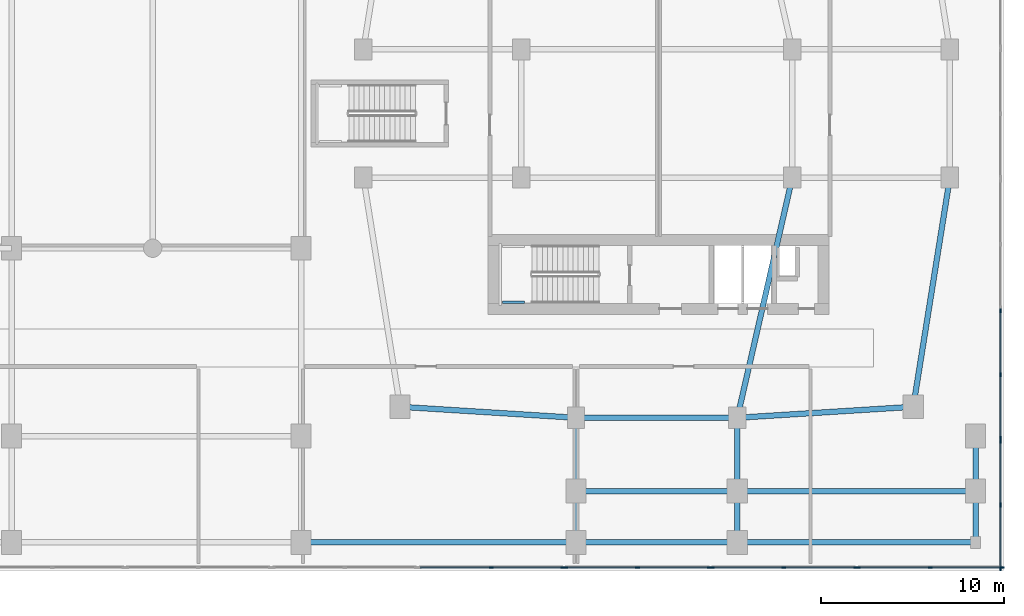
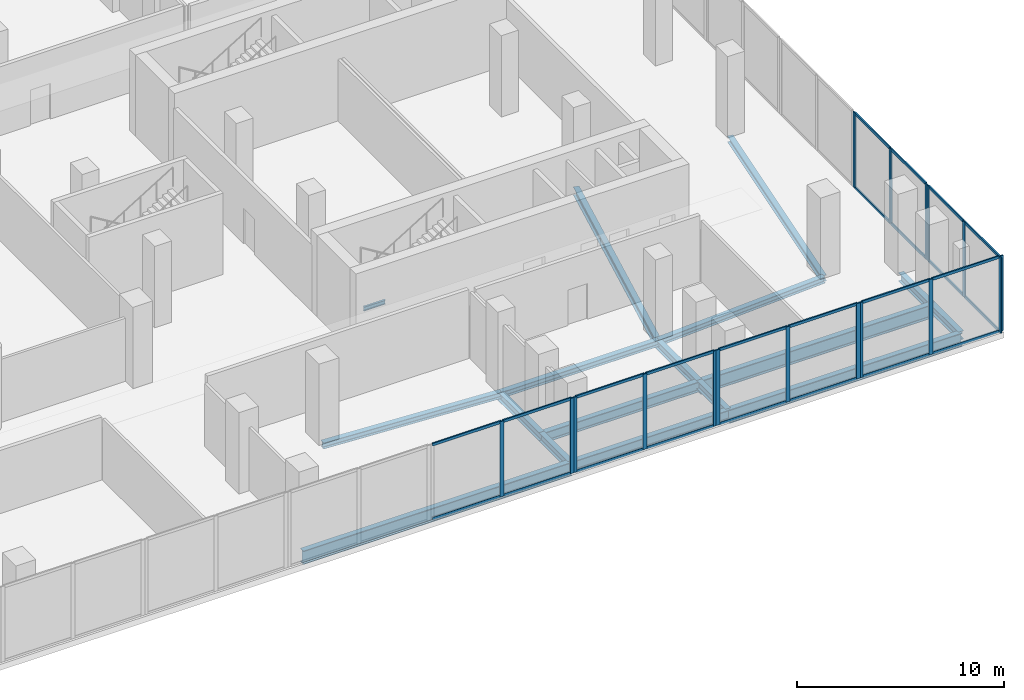
# One storey, part 8 of 23: 41 members, 17 beams, 6 elements without a shape of their own.
"""IFC4 building model written with IfcOpenShell, lengths in metres."""

from ifc_helpers import new_model, si_unit, derived_unit, direction, frame, origin, origin_2d, place, context, subcontext, project, spatial, rectangle, i_section, extrude, material, layer, layer_set, material_profile, profile_set, type_object, element, aggregate, save


model = new_model("IFC4")

# Units and contexts
model_context = context("Model", 3, precision=1e-05, world=origin(), true_north=direction((0.0, 1.0)))
body_context = subcontext(model_context, "Body", "Model", "MODEL_VIEW")
ifc_project = project(units=[si_unit("LENGTHUNIT", "METRE"), si_unit("AREAUNIT", "SQUARE_METRE"), si_unit("VOLUMEUNIT", "CUBIC_METRE"), si_unit("PLANEANGLEUNIT", "RADIAN"), si_unit("MASSUNIT", "GRAM", prefix="KILO"), derived_unit("THERMALTRANSMITTANCEUNIT", [(si_unit("POWERUNIT", "WATT"), 1), (si_unit("LENGTHUNIT", "METRE"), -2), (si_unit("THERMODYNAMICTEMPERATUREUNIT", "KELVIN"), -1)])], contexts=[model_context])

# Site, building, storey
site_placement = place(None, origin())
site = spatial("IfcSite", under=ifc_project, at=site_placement, CompositionType="ELEMENT")
building_placement = place(site_placement, origin())
building = spatial("IfcBuilding", under=site, at=building_placement, Name="Kivonza Crest Hotel", CompositionType="ELEMENT")
storey_placement = place(building_placement, frame((0.0, 0.0, 5.39990234375)))
storey = spatial("IfcBuildingStorey", under=building, at=storey_placement, Name="L01", CompositionType="ELEMENT", Elevation=5.39990234375)

# Beams
ifc_material_1 = material(Name="Steel S355", Category="steel")
ifc_material_profile_1 = material_profile(ifc_material_1, i_section(OverallWidth=0.300048828125, OverallDepth=0.360107421875, WebThickness=0.012451171875, FlangeThickness=0.0224609375, FilletRadius=0.027099609375, at=origin_2d()), Name="HEB 360")
ifc_profile_set_1 = profile_set([ifc_material_profile_1], Name="Steel S355")
beam_type_1 = type_object("IfcBeamType", Name="BM-HEB360", PredefinedType="SPANDREL", material=ifc_profile_set_1)
beam_1_placement = place(storey_placement, frame((72.60009765625, 8.39990234375, -0.52978515625), z_axis=(1.0, 0.0, 0.0), x_axis=(0.0, 1.0, 0.0)))
element("IfcBeam", 1, at=beam_1_placement, inside=storey, type_object=beam_type_1, Name="Companion Tower T2 L01 perimeter spandrel S1-S2", PredefinedType="SPANDREL", context=body_context, shape_type="SweptSolid", body=[
    extrude(i_section(OverallWidth=0.300048828125, OverallDepth=0.360107421875, WebThickness=0.012451171875, FlangeThickness=0.0224609375, FilletRadius=0.027099609375, at=origin_2d()), origin(), (0.0, 0.0, 1.0), 8.7998046875),
])
beam_2_placement = place(storey_placement, frame((81.39990234375, 8.39990234375, -0.52978515625), z_axis=(0.998051985873, 0.062387767186, 0.0), x_axis=(-0.062387767186, 0.998051985873, 0.0)))
element("IfcBeam", 2, at=beam_2_placement, inside=storey, type_object=beam_type_1, Name="Companion Tower T2 L01 perimeter spandrel S2-SE", PredefinedType="SPANDREL", context=body_context, shape_type="SweptSolid", body=[
    extrude(i_section(OverallWidth=0.300048828125, OverallDepth=0.360107421875, WebThickness=0.012451171875, FlangeThickness=0.0224609375, FilletRadius=0.027099609375, at=origin_2d()), origin(), (0.0, 0.0, 1.0), 9.618896484375),
])
beam_3_placement = place(storey_placement, frame((91.0, 9.0, -0.52978515625), z_axis=(0.157990501107, 0.987440631917, 0.0), x_axis=(-0.987440631917, 0.157990501107, 0.0)))
element("IfcBeam", 3, at=beam_3_placement, inside=storey, type_object=beam_type_1, Name="Companion Tower T2 L01 perimeter spandrel SE-E1", PredefinedType="SPANDREL", context=body_context, shape_type="SweptSolid", body=[
    extrude(i_section(OverallWidth=0.300048828125, OverallDepth=0.360107421875, WebThickness=0.012451171875, FlangeThickness=0.0224609375, FilletRadius=0.027099609375, at=origin_2d()), origin(), (0.0, 0.0, 1.0), 12.658935546875),
])
beam_4_placement = place(storey_placement, frame((63.0, 9.0, -0.52978515625), z_axis=(0.998051985873, -0.062387767186, 0.0), x_axis=(0.062387767186, 0.998051985873, 0.0)))
element("IfcBeam", 4, at=beam_4_placement, inside=storey, type_object=beam_type_1, Name="Companion Tower T2 L01 perimeter spandrel SW-S1", PredefinedType="SPANDREL", context=body_context, shape_type="SweptSolid", body=[
    extrude(i_section(OverallWidth=0.300048828125, OverallDepth=0.360107421875, WebThickness=0.012451171875, FlangeThickness=0.0224609375, FilletRadius=0.027099609375, at=origin_2d()), origin(), (0.0, 0.0, 1.0), 9.618896484375),
])
ifc_material_profile_2 = material_profile(ifc_material_1, i_section(OverallWidth=0.300048828125, OverallDepth=0.5, WebThickness=0.014404296875, FlangeThickness=0.028076171875, FilletRadius=0.027099609375, at=origin_2d()), Name="HEB 500")
ifc_profile_set_2 = profile_set([ifc_material_profile_2], Name="Steel S355")
beam_type_2 = type_object("IfcBeamType", Name="BM-HEB500", PredefinedType="BEAM", material=ifc_profile_set_2)
beam_5_placement = place(storey_placement, frame((84.39990234375, 21.5, -0.599853515625), z_axis=(-0.223227287589, -0.974766422317, 0.0), x_axis=(0.974766422317, -0.223227287589, 0.0)))
element("IfcBeam", 5, at=beam_5_placement, inside=storey, type_object=beam_type_2, Name="Companion Tower T2 L01 girder WR1-S2", PredefinedType="BEAM", context=body_context, shape_type="SweptSolid", body=[
    extrude(i_section(OverallWidth=0.300048828125, OverallDepth=0.5, WebThickness=0.014404296875, FlangeThickness=0.028076171875, FilletRadius=0.027099609375, at=origin_2d()), origin(), (0.0, 0.0, 1.0), 13.439208984375),
])
beam_6_placement = place(storey_placement, frame((72.60009765625, 1.60009765625, -0.599853515625), z_axis=(0.0, 1.0, 0.0), x_axis=(-1.0, 0.0, 0.0)))
element("IfcBeam", 6, at=beam_6_placement, inside=storey, type_object=beam_type_2, Name="L01 podium girder Y 84", PredefinedType="BEAM", context=body_context, shape_type="SweptSolid", body=[
    extrude(i_section(OverallWidth=0.300048828125, OverallDepth=0.5, WebThickness=0.014404296875, FlangeThickness=0.028076171875, FilletRadius=0.027099609375, at=origin_2d()), origin(), (0.0, 0.0, 1.0), 2.7998046875),
])
beam_7_placement = place(storey_placement, frame((72.60009765625, 4.39990234375, -0.599853515625), z_axis=(0.0, 1.0, 0.0), x_axis=(-1.0, 0.0, 0.0)))
element("IfcBeam", 7, at=beam_7_placement, inside=storey, type_object=beam_type_2, Name="L01 podium girder Y 85", PredefinedType="BEAM", context=body_context, shape_type="SweptSolid", body=[
    extrude(i_section(OverallWidth=0.300048828125, OverallDepth=0.5, WebThickness=0.014404296875, FlangeThickness=0.028076171875, FilletRadius=0.027099609375, at=origin_2d()), origin(), (0.0, 0.0, 1.0), 4.0),
])
beam_8_placement = place(storey_placement, frame((81.39990234375, 1.60009765625, -0.599853515625), z_axis=(0.0, 1.0, 0.0), x_axis=(-1.0, 0.0, 0.0)))
element("IfcBeam", 8, at=beam_8_placement, inside=storey, type_object=beam_type_2, Name="L01 podium girder Y 88", PredefinedType="BEAM", context=body_context, shape_type="SweptSolid", body=[
    extrude(i_section(OverallWidth=0.300048828125, OverallDepth=0.5, WebThickness=0.014404296875, FlangeThickness=0.028076171875, FilletRadius=0.027099609375, at=origin_2d()), origin(), (0.0, 0.0, 1.0), 2.7998046875),
])
beam_9_placement = place(storey_placement, frame((81.39990234375, 4.39990234375, -0.599853515625), z_axis=(0.0, 1.0, 0.0), x_axis=(-1.0, 0.0, 0.0)))
element("IfcBeam", 9, at=beam_9_placement, inside=storey, type_object=beam_type_2, Name="L01 podium girder Y 89", PredefinedType="BEAM", context=body_context, shape_type="SweptSolid", body=[
    extrude(i_section(OverallWidth=0.300048828125, OverallDepth=0.5, WebThickness=0.014404296875, FlangeThickness=0.028076171875, FilletRadius=0.027099609375, at=origin_2d()), origin(), (0.0, 0.0, 1.0), 4.0),
])
beam_10_placement = place(storey_placement, frame((94.39990234375, 1.60009765625, -0.599853515625), z_axis=(0.0, 1.0, 0.0), x_axis=(-1.0, 0.0, 0.0)))
element("IfcBeam", 10, at=beam_10_placement, inside=storey, type_object=beam_type_2, Name="L01 podium girder Y 94", PredefinedType="BEAM", context=body_context, shape_type="SweptSolid", body=[
    extrude(i_section(OverallWidth=0.300048828125, OverallDepth=0.5, WebThickness=0.014404296875, FlangeThickness=0.028076171875, FilletRadius=0.027099609375, at=origin_2d()), origin(), (0.0, 0.0, 1.0), 2.7998046875),
])
beam_11_placement = place(storey_placement, frame((94.39990234375, 4.39990234375, -0.599853515625), z_axis=(0.0, 1.0, 0.0), x_axis=(-1.0, 0.0, 0.0)))
element("IfcBeam", 11, at=beam_11_placement, inside=storey, type_object=beam_type_2, Name="L01 podium girder Y 95", PredefinedType="BEAM", context=body_context, shape_type="SweptSolid", body=[
    extrude(i_section(OverallWidth=0.300048828125, OverallDepth=0.5, WebThickness=0.014404296875, FlangeThickness=0.028076171875, FilletRadius=0.027099609375, at=origin_2d()), origin(), (0.0, 0.0, 1.0), 3.0),
])
ifc_material_profile_3 = material_profile(ifc_material_1, i_section(OverallWidth=0.300048828125, OverallDepth=0.60009765625, WebThickness=0.015380859375, FlangeThickness=0.030029296875, FilletRadius=0.027099609375, at=origin_2d()), Name="HEB 600")
ifc_profile_set_3 = profile_set([ifc_material_profile_3], Name="Steel S355")
beam_type_3 = type_object("IfcBeamType", Name="BM-HEB600", PredefinedType="BEAM", material=ifc_profile_set_3)
for number, where, z_axis, x_axis, name in (
    (12, (72.60009765625, 1.60009765625, -0.64990234375), (1.0, 0.0, 0.0), (0.0, 1.0, 0.0), "L01 podium girder X 6"),
    (13, (72.60009765625, 4.39990234375, -0.64990234375), (1.0, 0.0, 0.0), (0.0, 1.0, 0.0), "L01 podium girder X 10"),
):
    element("IfcBeam", number, at=place(storey_placement, frame(where, z_axis=z_axis, x_axis=x_axis)), inside=storey, type_object=beam_type_3, Name=name, PredefinedType="BEAM", context=body_context, shape_type="SweptSolid", body=[
        extrude(i_section(OverallWidth=0.300048828125, OverallDepth=0.60009765625, WebThickness=0.015380859375, FlangeThickness=0.030029296875, FilletRadius=0.027099609375, at=origin_2d()), origin(), (0.0, 0.0, 1.0), 8.7998046875),
    ])
ifc_material_profile_4 = material_profile(ifc_material_1, i_section(OverallWidth=0.300048828125, OverallDepth=0.800048828125, WebThickness=0.017578125, FlangeThickness=0.032958984375, FilletRadius=0.030029296875, at=origin_2d()), Name="HEB 800")
ifc_profile_set_4 = profile_set([ifc_material_profile_4], Name="Steel S355")
beam_type_4 = type_object("IfcBeamType", Name="BM-HEB800", PredefinedType="BEAM", material=ifc_profile_set_4)
beam_12_placement = place(storey_placement, frame((57.60009765625, 1.60009765625, -0.75), z_axis=(1.0, 0.0, 0.0), x_axis=(0.0, 1.0, 0.0)))
element("IfcBeam", 14, at=beam_12_placement, inside=storey, type_object=beam_type_4, Name="L01 podium girder X 5", PredefinedType="BEAM", context=body_context, shape_type="SweptSolid", body=[
    extrude(i_section(OverallWidth=0.300048828125, OverallDepth=0.800048828125, WebThickness=0.017578125, FlangeThickness=0.032958984375, FilletRadius=0.030029296875, at=origin_2d()), origin(), (0.0, 0.0, 1.0), 15.0),
])
for number, where, z_axis, x_axis, name in (
    (15, (81.39990234375, 1.60009765625, -0.75), (1.0, 0.0, 0.0), (0.0, 1.0, 0.0), "L01 podium girder X 7"),
    (16, (81.39990234375, 4.39990234375, -0.75), (1.0, 0.0, 0.0), (0.0, 1.0, 0.0), "L01 podium girder X 11"),
):
    element("IfcBeam", number, at=place(storey_placement, frame(where, z_axis=z_axis, x_axis=x_axis)), inside=storey, type_object=beam_type_4, Name=name, PredefinedType="BEAM", context=body_context, shape_type="SweptSolid", body=[
        extrude(i_section(OverallWidth=0.300048828125, OverallDepth=0.800048828125, WebThickness=0.017578125, FlangeThickness=0.032958984375, FilletRadius=0.030029296875, at=origin_2d()), origin(), (0.0, 0.0, 1.0), 13.0),
    ])
ifc_material_profile_5 = material_profile(ifc_material_1, i_section(OverallWidth=0.1201171875, OverallDepth=0.239990234375, WebThickness=0.006103515625, FlangeThickness=0.009765625, FilletRadius=0.014892578125, at=origin_2d()), Name="IPE 240")
ifc_profile_set_5 = profile_set([ifc_material_profile_5], Name="Steel S355")
beam_type_5 = type_object("IfcBeamType", Name="BM-LLDG-240", PredefinedType="BEAM", material=ifc_profile_set_5)
beam_13_placement = place(storey_placement, frame((68.590087890625, 14.699951171875, 2.080078125), z_axis=(1.0, 0.0, 0.0), x_axis=(0.0, 1.0, 0.0)))
element("IfcBeam", 17, at=beam_13_placement, inside=storey, type_object=beam_type_5, Name="Stair ST-T2-S L01 South landing corbel", PredefinedType="BEAM", context=body_context, shape_type="SweptSolid", body=[
    extrude(i_section(OverallWidth=0.1201171875, OverallDepth=0.239990234375, WebThickness=0.006103515625, FlangeThickness=0.009765625, FilletRadius=0.014892578125, at=origin_2d()), origin(), (0.0, 0.0, 1.0), 1.2099609375),
])

# Curtain wall, members
ifc_material_2 = material(Name="Anodised bronze aluminium and low-E double glazing", Category="aluminium")
ifc_layer = layer(ifc_material_2, 0.219970703125)
ifc_layer_set = layer_set([ifc_layer], Name="Anodised bronze aluminium and low-E double glazing")
curtain_wall_type = type_object("IfcCurtainWallType", Name="CW-SYS-1", PredefinedType="NOTDEFINED", material=ifc_layer_set)
curtain_wall_1_placement = place(storey_placement, origin())
curtain_wall_1 = element("IfcCurtainWall", 18, at=curtain_wall_1_placement, inside=storey, type_object=curtain_wall_type, Name="L01 unitised curtain wall CW-POD-L01-09", PredefinedType="NOTDEFINED")
ifc_material_3 = material(Name="Anodised bronze aluminium", Category="aluminium")
ifc_material_profile_6 = material_profile(ifc_material_3, rectangle(XDim=0.074951171875, YDim=0.219970703125, at=origin_2d()), Name="CW-M 75x220")
ifc_profile_set_6 = profile_set([ifc_material_profile_6], Name="Anodised bronze aluminium")
member_type_1 = type_object("IfcMemberType", Name="CW-MUL-75x220", PredefinedType="MULLION", material=ifc_profile_set_6)
member_1_placement = place(storey_placement, frame((67.966552734375, 0.239990234375, 0.0), z_axis=(0.0, 0.0, 1.0), x_axis=(0.0, 1.0, 0.0)))
member_1 = element("IfcMember", 19, at=member_1_placement, type_object=member_type_1, Name="CW-1 mullion 2", PredefinedType="MULLION", context=body_context, shape_type="SweptSolid", body=[
    extrude(rectangle(XDim=0.074951171875, YDim=0.219970703125, at=origin_2d()), origin(), (0.0, 0.0, 1.0), 4.4501953125),
])
member_2_placement = place(storey_placement, frame((71.882568359375, 0.239990234375, 0.0), z_axis=(0.0, 0.0, 1.0), x_axis=(0.0, 1.0, 0.0)))
member_2 = element("IfcMember", 20, at=member_2_placement, type_object=member_type_1, Name="CW-1 mullion 3", PredefinedType="MULLION", context=body_context, shape_type="SweptSolid", body=[
    extrude(rectangle(XDim=0.074951171875, YDim=0.219970703125, at=origin_2d()), origin(), (0.0, 0.0, 1.0), 4.4501953125),
])

curtain_wall_2_placement = place(storey_placement, origin())
curtain_wall_2 = element("IfcCurtainWall", 21, at=curtain_wall_2_placement, inside=storey, type_object=curtain_wall_type, Name="L01 unitised curtain wall CW-POD-L01-10", PredefinedType="NOTDEFINED")
member_3_placement = place(storey_placement, frame((72.03759765625, 0.239990234375, 0.0), z_axis=(0.0, 0.0, 1.0), x_axis=(0.0, 1.0, 0.0)))
member_3 = element("IfcMember", 22, at=member_3_placement, type_object=member_type_1, Name="CW-1 mullion 1", PredefinedType="MULLION", context=body_context, shape_type="SweptSolid", body=[
    extrude(rectangle(XDim=0.074951171875, YDim=0.219970703125, at=origin_2d()), origin(), (0.0, 0.0, 1.0), 4.4501953125),
])
member_4_placement = place(storey_placement, frame((75.95361328125, 0.239990234375, 0.0), z_axis=(0.0, 0.0, 1.0), x_axis=(0.0, 1.0, 0.0)))
member_4 = element("IfcMember", 23, at=member_4_placement, type_object=member_type_1, Name="CW-1 mullion 2", PredefinedType="MULLION", context=body_context, shape_type="SweptSolid", body=[
    extrude(rectangle(XDim=0.074951171875, YDim=0.219970703125, at=origin_2d()), origin(), (0.0, 0.0, 1.0), 4.4501953125),
])
member_5_placement = place(storey_placement, frame((79.869384765625, 0.239990234375, 0.0), z_axis=(0.0, 0.0, 1.0), x_axis=(0.0, 1.0, 0.0)))
member_5 = element("IfcMember", 24, at=member_5_placement, type_object=member_type_1, Name="CW-1 mullion 3", PredefinedType="MULLION", context=body_context, shape_type="SweptSolid", body=[
    extrude(rectangle(XDim=0.074951171875, YDim=0.219970703125, at=origin_2d()), origin(), (0.0, 0.0, 1.0), 4.4501953125),
])

curtain_wall_3_placement = place(storey_placement, origin())
curtain_wall_3 = element("IfcCurtainWall", 25, at=curtain_wall_3_placement, inside=storey, type_object=curtain_wall_type, Name="L01 unitised curtain wall CW-POD-L01-11", PredefinedType="NOTDEFINED")
member_6_placement = place(storey_placement, frame((80.0244140625, 0.239990234375, 0.0), z_axis=(0.0, 0.0, 1.0), x_axis=(0.0, 1.0, 0.0)))
member_6 = element("IfcMember", 26, at=member_6_placement, type_object=member_type_1, Name="CW-1 mullion 1", PredefinedType="MULLION", context=body_context, shape_type="SweptSolid", body=[
    extrude(rectangle(XDim=0.074951171875, YDim=0.219970703125, at=origin_2d()), origin(), (0.0, 0.0, 1.0), 4.4501953125),
])
member_7_placement = place(storey_placement, frame((83.93994140625, 0.239990234375, 0.0), z_axis=(0.0, 0.0, 1.0), x_axis=(0.0, 1.0, 0.0)))
member_7 = element("IfcMember", 27, at=member_7_placement, type_object=member_type_1, Name="CW-1 mullion 2", PredefinedType="MULLION", context=body_context, shape_type="SweptSolid", body=[
    extrude(rectangle(XDim=0.074951171875, YDim=0.219970703125, at=origin_2d()), origin(), (0.0, 0.0, 1.0), 4.4501953125),
])
member_8_placement = place(storey_placement, frame((87.85546875, 0.239990234375, 0.0), z_axis=(0.0, 0.0, 1.0), x_axis=(0.0, 1.0, 0.0)))
member_8 = element("IfcMember", 28, at=member_8_placement, type_object=member_type_1, Name="CW-1 mullion 3", PredefinedType="MULLION", context=body_context, shape_type="SweptSolid", body=[
    extrude(rectangle(XDim=0.074951171875, YDim=0.219970703125, at=origin_2d()), origin(), (0.0, 0.0, 1.0), 4.4501953125),
])

curtain_wall_4_placement = place(storey_placement, origin())
curtain_wall_4 = element("IfcCurtainWall", 29, at=curtain_wall_4_placement, inside=storey, type_object=curtain_wall_type, Name="L01 unitised curtain wall CW-POD-L01-12", PredefinedType="NOTDEFINED")
member_9_placement = place(storey_placement, frame((88.010498046875, 0.239990234375, 0.0), z_axis=(0.0, 0.0, 1.0), x_axis=(0.0, 1.0, 0.0)))
member_9 = element("IfcMember", 30, at=member_9_placement, type_object=member_type_1, Name="CW-1 mullion 1", PredefinedType="MULLION", context=body_context, shape_type="SweptSolid", body=[
    extrude(rectangle(XDim=0.074951171875, YDim=0.219970703125, at=origin_2d()), origin(), (0.0, 0.0, 1.0), 4.4501953125),
])
member_10_placement = place(storey_placement, frame((91.926513671875, 0.239990234375, 0.0), z_axis=(0.0, 0.0, 1.0), x_axis=(0.0, 1.0, 0.0)))
member_10 = element("IfcMember", 31, at=member_10_placement, type_object=member_type_1, Name="CW-1 mullion 2", PredefinedType="MULLION", context=body_context, shape_type="SweptSolid", body=[
    extrude(rectangle(XDim=0.074951171875, YDim=0.219970703125, at=origin_2d()), origin(), (0.0, 0.0, 1.0), 4.4501953125),
])
member_11_placement = place(storey_placement, frame((95.842529296875, 0.239990234375, 0.0), z_axis=(0.0, 0.0, 1.0), x_axis=(0.0, 1.0, 0.0)))
member_11 = element("IfcMember", 32, at=member_11_placement, type_object=member_type_1, Name="CW-1 mullion 3", PredefinedType="MULLION", context=body_context, shape_type="SweptSolid", body=[
    extrude(rectangle(XDim=0.074951171875, YDim=0.219970703125, at=origin_2d()), origin(), (0.0, 0.0, 1.0), 4.4501953125),
])

curtain_wall_5_placement = place(storey_placement, origin())
curtain_wall_5 = element("IfcCurtainWall", 33, at=curtain_wall_5_placement, inside=storey, type_object=curtain_wall_type, Name="L01 unitised curtain wall CW-POD-L01-13", PredefinedType="NOTDEFINED")
member_12_placement = place(storey_placement, frame((95.760009765625, 0.157470703125, 0.0), z_axis=(0.0, 0.0, 1.0), x_axis=(-1.0, 0.0, 0.0)))
member_12 = element("IfcMember", 34, at=member_12_placement, type_object=member_type_1, Name="CW-1 mullion 1", PredefinedType="MULLION", context=body_context, shape_type="SweptSolid", body=[
    extrude(rectangle(XDim=0.074951171875, YDim=0.219970703125, at=origin_2d()), origin(), (0.0, 0.0, 1.0), 4.4501953125),
])
member_13_placement = place(storey_placement, frame((95.760009765625, 3.639892578125, 0.0), z_axis=(0.0, 0.0, 1.0), x_axis=(-1.0, 0.0, 0.0)))
member_13 = element("IfcMember", 35, at=member_13_placement, type_object=member_type_1, Name="CW-1 mullion 2", PredefinedType="MULLION", context=body_context, shape_type="SweptSolid", body=[
    extrude(rectangle(XDim=0.074951171875, YDim=0.219970703125, at=origin_2d()), origin(), (0.0, 0.0, 1.0), 4.4501953125),
])
member_14_placement = place(storey_placement, frame((95.760009765625, 7.12255859375, 0.0), z_axis=(0.0, 0.0, 1.0), x_axis=(-1.0, 0.0, 0.0)))
member_14 = element("IfcMember", 36, at=member_14_placement, type_object=member_type_1, Name="CW-1 mullion 3", PredefinedType="MULLION", context=body_context, shape_type="SweptSolid", body=[
    extrude(rectangle(XDim=0.074951171875, YDim=0.219970703125, at=origin_2d()), origin(), (0.0, 0.0, 1.0), 4.4501953125),
])

curtain_wall_6_placement = place(storey_placement, origin())
curtain_wall_6 = element("IfcCurtainWall", 37, at=curtain_wall_6_placement, inside=storey, type_object=curtain_wall_type, Name="L01 unitised curtain wall CW-POD-L01-14", PredefinedType="NOTDEFINED")
member_15_placement = place(storey_placement, frame((95.760009765625, 7.277587890625, 0.0), z_axis=(0.0, 0.0, 1.0), x_axis=(-1.0, 0.0, 0.0)))
member_15 = element("IfcMember", 38, at=member_15_placement, type_object=member_type_1, Name="CW-1 mullion 1", PredefinedType="MULLION", context=body_context, shape_type="SweptSolid", body=[
    extrude(rectangle(XDim=0.074951171875, YDim=0.219970703125, at=origin_2d()), origin(), (0.0, 0.0, 1.0), 4.4501953125),
])
member_16_placement = place(storey_placement, frame((95.760009765625, 10.760009765625, 0.0), z_axis=(0.0, 0.0, 1.0), x_axis=(-1.0, 0.0, 0.0)))
member_16 = element("IfcMember", 39, at=member_16_placement, type_object=member_type_1, Name="CW-1 mullion 2", PredefinedType="MULLION", context=body_context, shape_type="SweptSolid", body=[
    extrude(rectangle(XDim=0.074951171875, YDim=0.219970703125, at=origin_2d()), origin(), (0.0, 0.0, 1.0), 4.4501953125),
])
member_17_placement = place(storey_placement, frame((95.760009765625, 14.242431640625, 0.0), z_axis=(0.0, 0.0, 1.0), x_axis=(-1.0, 0.0, 0.0)))
member_17 = element("IfcMember", 40, at=member_17_placement, type_object=member_type_1, Name="CW-1 mullion 3", PredefinedType="MULLION", context=body_context, shape_type="SweptSolid", body=[
    extrude(rectangle(XDim=0.074951171875, YDim=0.219970703125, at=origin_2d()), origin(), (0.0, 0.0, 1.0), 4.4501953125),
])

# Member
ifc_material_profile_7 = material_profile(ifc_material_3, rectangle(XDim=0.074951171875, YDim=0.159912109375, at=origin_2d()), Name="CW-T 75x160")
ifc_profile_set_7 = profile_set([ifc_material_profile_7], Name="Anodised bronze aluminium")
member_type_2 = type_object("IfcMemberType", Name="CW-TRN-75x160", PredefinedType="USERDEFINED", material=ifc_profile_set_7)
member_18_placement = place(storey_placement, frame((64.087890625, 0.239990234375, 0.03759765625), z_axis=(1.0, 0.0, 0.0), x_axis=(0.0, 1.0, 0.0)))
member_18 = element("IfcMember", 41, at=member_18_placement, type_object=member_type_2, Name="CW-1 transom 1.1", ObjectType="TRANSOM", PredefinedType="USERDEFINED", context=body_context, shape_type="SweptSolid", body=[
    extrude(rectangle(XDim=0.074951171875, YDim=0.159912109375, at=origin_2d()), origin(), (0.0, 0.0, 1.0), 3.841064453125),
])

member_19_placement = place(storey_placement, frame((64.087890625, 0.239990234375, 4.41259765625), z_axis=(1.0, 0.0, 0.0), x_axis=(0.0, 1.0, 0.0)))
member_19 = element("IfcMember", 42, at=member_19_placement, type_object=member_type_2, Name="CW-1 transom 1.2", ObjectType="TRANSOM", PredefinedType="USERDEFINED", context=body_context, shape_type="SweptSolid", body=[
    extrude(rectangle(XDim=0.074951171875, YDim=0.159912109375, at=origin_2d()), origin(), (0.0, 0.0, 1.0), 3.841064453125),
])

member_20_placement = place(storey_placement, frame((68.00390625, 0.239990234375, 0.03759765625), z_axis=(1.0, 0.0, 0.0), x_axis=(0.0, 1.0, 0.0)))
member_20 = element("IfcMember", 43, at=member_20_placement, type_object=member_type_2, Name="CW-1 transom 2.1", ObjectType="TRANSOM", PredefinedType="USERDEFINED", context=body_context, shape_type="SweptSolid", body=[
    extrude(rectangle(XDim=0.074951171875, YDim=0.159912109375, at=origin_2d()), origin(), (0.0, 0.0, 1.0), 3.841064453125),
])

member_21_placement = place(storey_placement, frame((68.00390625, 0.239990234375, 4.41259765625), z_axis=(1.0, 0.0, 0.0), x_axis=(0.0, 1.0, 0.0)))
member_21 = element("IfcMember", 44, at=member_21_placement, type_object=member_type_2, Name="CW-1 transom 2.2", ObjectType="TRANSOM", PredefinedType="USERDEFINED", context=body_context, shape_type="SweptSolid", body=[
    extrude(rectangle(XDim=0.074951171875, YDim=0.159912109375, at=origin_2d()), origin(), (0.0, 0.0, 1.0), 3.841064453125),
])

aggregate(curtain_wall_1, [member_1, member_2, member_18, member_19, member_20, member_21])

member_22_placement = place(storey_placement, frame((72.074951171875, 0.239990234375, 0.03759765625), z_axis=(1.0, 0.0, 0.0), x_axis=(0.0, 1.0, 0.0)))
member_22 = element("IfcMember", 45, at=member_22_placement, type_object=member_type_2, Name="CW-1 transom 1.1", ObjectType="TRANSOM", PredefinedType="USERDEFINED", context=body_context, shape_type="SweptSolid", body=[
    extrude(rectangle(XDim=0.074951171875, YDim=0.159912109375, at=origin_2d()), origin(), (0.0, 0.0, 1.0), 3.841064453125),
])

member_23_placement = place(storey_placement, frame((72.074951171875, 0.239990234375, 4.41259765625), z_axis=(1.0, 0.0, 0.0), x_axis=(0.0, 1.0, 0.0)))
member_23 = element("IfcMember", 46, at=member_23_placement, type_object=member_type_2, Name="CW-1 transom 1.2", ObjectType="TRANSOM", PredefinedType="USERDEFINED", context=body_context, shape_type="SweptSolid", body=[
    extrude(rectangle(XDim=0.074951171875, YDim=0.159912109375, at=origin_2d()), origin(), (0.0, 0.0, 1.0), 3.841064453125),
])

member_24_placement = place(storey_placement, frame((75.990966796875, 0.239990234375, 0.03759765625), z_axis=(1.0, 0.0, 0.0), x_axis=(0.0, 1.0, 0.0)))
member_24 = element("IfcMember", 47, at=member_24_placement, type_object=member_type_2, Name="CW-1 transom 2.1", ObjectType="TRANSOM", PredefinedType="USERDEFINED", context=body_context, shape_type="SweptSolid", body=[
    extrude(rectangle(XDim=0.074951171875, YDim=0.159912109375, at=origin_2d()), origin(), (0.0, 0.0, 1.0), 3.841064453125),
])

member_25_placement = place(storey_placement, frame((75.990966796875, 0.239990234375, 4.41259765625), z_axis=(1.0, 0.0, 0.0), x_axis=(0.0, 1.0, 0.0)))
member_25 = element("IfcMember", 48, at=member_25_placement, type_object=member_type_2, Name="CW-1 transom 2.2", ObjectType="TRANSOM", PredefinedType="USERDEFINED", context=body_context, shape_type="SweptSolid", body=[
    extrude(rectangle(XDim=0.074951171875, YDim=0.159912109375, at=origin_2d()), origin(), (0.0, 0.0, 1.0), 3.841064453125),
])

aggregate(curtain_wall_2, [member_3, member_4, member_5, member_22, member_23, member_24, member_25])

member_26_placement = place(storey_placement, frame((80.06201171875, 0.239990234375, 0.03759765625), z_axis=(1.0, 0.0, 0.0), x_axis=(0.0, 1.0, 0.0)))
member_26 = element("IfcMember", 49, at=member_26_placement, type_object=member_type_2, Name="CW-1 transom 1.1", ObjectType="TRANSOM", PredefinedType="USERDEFINED", context=body_context, shape_type="SweptSolid", body=[
    extrude(rectangle(XDim=0.074951171875, YDim=0.159912109375, at=origin_2d()), origin(), (0.0, 0.0, 1.0), 3.840576171875),
])

member_27_placement = place(storey_placement, frame((80.06201171875, 0.239990234375, 4.41259765625), z_axis=(1.0, 0.0, 0.0), x_axis=(0.0, 1.0, 0.0)))
member_27 = element("IfcMember", 50, at=member_27_placement, type_object=member_type_2, Name="CW-1 transom 1.2", ObjectType="TRANSOM", PredefinedType="USERDEFINED", context=body_context, shape_type="SweptSolid", body=[
    extrude(rectangle(XDim=0.074951171875, YDim=0.159912109375, at=origin_2d()), origin(), (0.0, 0.0, 1.0), 3.840576171875),
])

member_28_placement = place(storey_placement, frame((83.9775390625, 0.239990234375, 0.03759765625), z_axis=(1.0, 0.0, 0.0), x_axis=(0.0, 1.0, 0.0)))
member_28 = element("IfcMember", 51, at=member_28_placement, type_object=member_type_2, Name="CW-1 transom 2.1", ObjectType="TRANSOM", PredefinedType="USERDEFINED", context=body_context, shape_type="SweptSolid", body=[
    extrude(rectangle(XDim=0.074951171875, YDim=0.159912109375, at=origin_2d()), origin(), (0.0, 0.0, 1.0), 3.840576171875),
])

member_29_placement = place(storey_placement, frame((83.9775390625, 0.239990234375, 4.41259765625), z_axis=(1.0, 0.0, 0.0), x_axis=(0.0, 1.0, 0.0)))
member_29 = element("IfcMember", 52, at=member_29_placement, type_object=member_type_2, Name="CW-1 transom 2.2", ObjectType="TRANSOM", PredefinedType="USERDEFINED", context=body_context, shape_type="SweptSolid", body=[
    extrude(rectangle(XDim=0.074951171875, YDim=0.159912109375, at=origin_2d()), origin(), (0.0, 0.0, 1.0), 3.840576171875),
])

aggregate(curtain_wall_3, [member_6, member_7, member_8, member_26, member_27, member_28, member_29])

member_30_placement = place(storey_placement, frame((88.048095703125, 0.239990234375, 0.03759765625), z_axis=(1.0, 0.0, 0.0), x_axis=(0.0, 1.0, 0.0)))
member_30 = element("IfcMember", 53, at=member_30_placement, type_object=member_type_2, Name="CW-1 transom 1.1", ObjectType="TRANSOM", PredefinedType="USERDEFINED", context=body_context, shape_type="SweptSolid", body=[
    extrude(rectangle(XDim=0.074951171875, YDim=0.159912109375, at=origin_2d()), origin(), (0.0, 0.0, 1.0), 3.8408203125),
])

member_31_placement = place(storey_placement, frame((88.048095703125, 0.239990234375, 4.41259765625), z_axis=(1.0, 0.0, 0.0), x_axis=(0.0, 1.0, 0.0)))
member_31 = element("IfcMember", 54, at=member_31_placement, type_object=member_type_2, Name="CW-1 transom 1.2", ObjectType="TRANSOM", PredefinedType="USERDEFINED", context=body_context, shape_type="SweptSolid", body=[
    extrude(rectangle(XDim=0.074951171875, YDim=0.159912109375, at=origin_2d()), origin(), (0.0, 0.0, 1.0), 3.8408203125),
])

member_32_placement = place(storey_placement, frame((91.964111328125, 0.239990234375, 0.03759765625), z_axis=(1.0, 0.0, 0.0), x_axis=(0.0, 1.0, 0.0)))
member_32 = element("IfcMember", 55, at=member_32_placement, type_object=member_type_2, Name="CW-1 transom 2.1", ObjectType="TRANSOM", PredefinedType="USERDEFINED", context=body_context, shape_type="SweptSolid", body=[
    extrude(rectangle(XDim=0.074951171875, YDim=0.159912109375, at=origin_2d()), origin(), (0.0, 0.0, 1.0), 3.8408203125),
])

member_33_placement = place(storey_placement, frame((91.964111328125, 0.239990234375, 4.41259765625), z_axis=(1.0, 0.0, 0.0), x_axis=(0.0, 1.0, 0.0)))
member_33 = element("IfcMember", 56, at=member_33_placement, type_object=member_type_2, Name="CW-1 transom 2.2", ObjectType="TRANSOM", PredefinedType="USERDEFINED", context=body_context, shape_type="SweptSolid", body=[
    extrude(rectangle(XDim=0.074951171875, YDim=0.159912109375, at=origin_2d()), origin(), (0.0, 0.0, 1.0), 3.8408203125),
])

aggregate(curtain_wall_4, [member_9, member_10, member_11, member_30, member_31, member_32, member_33])

member_34_placement = place(storey_placement, frame((95.760009765625, 0.195068359375, 0.03759765625), z_axis=(0.0, 1.0, 0.0), x_axis=(-1.0, 0.0, 0.0)))
member_34 = element("IfcMember", 57, at=member_34_placement, type_object=member_type_2, Name="CW-1 transom 1.1", ObjectType="TRANSOM", PredefinedType="USERDEFINED", context=body_context, shape_type="SweptSolid", body=[
    extrude(rectangle(XDim=0.074951171875, YDim=0.159912109375, at=origin_2d()), origin(), (0.0, 0.0, 1.0), 3.407470703125),
])

member_35_placement = place(storey_placement, frame((95.760009765625, 0.195068359375, 4.41259765625), z_axis=(0.0, 1.0, 0.0), x_axis=(-1.0, 0.0, 0.0)))
member_35 = element("IfcMember", 58, at=member_35_placement, type_object=member_type_2, Name="CW-1 transom 1.2", ObjectType="TRANSOM", PredefinedType="USERDEFINED", context=body_context, shape_type="SweptSolid", body=[
    extrude(rectangle(XDim=0.074951171875, YDim=0.159912109375, at=origin_2d()), origin(), (0.0, 0.0, 1.0), 3.407470703125),
])

member_36_placement = place(storey_placement, frame((95.760009765625, 3.677490234375, 0.03759765625), z_axis=(0.0, 1.0, 0.0), x_axis=(-1.0, 0.0, 0.0)))
member_36 = element("IfcMember", 59, at=member_36_placement, type_object=member_type_2, Name="CW-1 transom 2.1", ObjectType="TRANSOM", PredefinedType="USERDEFINED", context=body_context, shape_type="SweptSolid", body=[
    extrude(rectangle(XDim=0.074951171875, YDim=0.159912109375, at=origin_2d()), origin(), (0.0, 0.0, 1.0), 3.407470703125),
])

member_37_placement = place(storey_placement, frame((95.760009765625, 3.677490234375, 4.41259765625), z_axis=(0.0, 1.0, 0.0), x_axis=(-1.0, 0.0, 0.0)))
member_37 = element("IfcMember", 60, at=member_37_placement, type_object=member_type_2, Name="CW-1 transom 2.2", ObjectType="TRANSOM", PredefinedType="USERDEFINED", context=body_context, shape_type="SweptSolid", body=[
    extrude(rectangle(XDim=0.074951171875, YDim=0.159912109375, at=origin_2d()), origin(), (0.0, 0.0, 1.0), 3.407470703125),
])

aggregate(curtain_wall_5, [member_12, member_13, member_14, member_34, member_35, member_36, member_37])

member_38_placement = place(storey_placement, frame((95.760009765625, 7.31494140625, 0.03759765625), z_axis=(0.0, 1.0, 0.0), x_axis=(-1.0, 0.0, 0.0)))
member_38 = element("IfcMember", 61, at=member_38_placement, type_object=member_type_2, Name="CW-1 transom 1.1", ObjectType="TRANSOM", PredefinedType="USERDEFINED", context=body_context, shape_type="SweptSolid", body=[
    extrude(rectangle(XDim=0.074951171875, YDim=0.159912109375, at=origin_2d()), origin(), (0.0, 0.0, 1.0), 3.407470703125),
])

member_39_placement = place(storey_placement, frame((95.760009765625, 7.31494140625, 4.41259765625), z_axis=(0.0, 1.0, 0.0), x_axis=(-1.0, 0.0, 0.0)))
member_39 = element("IfcMember", 62, at=member_39_placement, type_object=member_type_2, Name="CW-1 transom 1.2", ObjectType="TRANSOM", PredefinedType="USERDEFINED", context=body_context, shape_type="SweptSolid", body=[
    extrude(rectangle(XDim=0.074951171875, YDim=0.159912109375, at=origin_2d()), origin(), (0.0, 0.0, 1.0), 3.407470703125),
])

member_40_placement = place(storey_placement, frame((95.760009765625, 10.797607421875, 0.03759765625), z_axis=(0.0, 1.0, 0.0), x_axis=(-1.0, 0.0, 0.0)))
member_40 = element("IfcMember", 63, at=member_40_placement, type_object=member_type_2, Name="CW-1 transom 2.1", ObjectType="TRANSOM", PredefinedType="USERDEFINED", context=body_context, shape_type="SweptSolid", body=[
    extrude(rectangle(XDim=0.074951171875, YDim=0.159912109375, at=origin_2d()), origin(), (0.0, 0.0, 1.0), 3.407470703125),
])

member_41_placement = place(storey_placement, frame((95.760009765625, 10.797607421875, 4.41259765625), z_axis=(0.0, 1.0, 0.0), x_axis=(-1.0, 0.0, 0.0)))
member_41 = element("IfcMember", 64, at=member_41_placement, type_object=member_type_2, Name="CW-1 transom 2.2", ObjectType="TRANSOM", PredefinedType="USERDEFINED", context=body_context, shape_type="SweptSolid", body=[
    extrude(rectangle(XDim=0.074951171875, YDim=0.159912109375, at=origin_2d()), origin(), (0.0, 0.0, 1.0), 3.407470703125),
])

aggregate(curtain_wall_6, [member_15, member_16, member_17, member_38, member_39, member_40, member_41])

save(model, "model.ifc")
